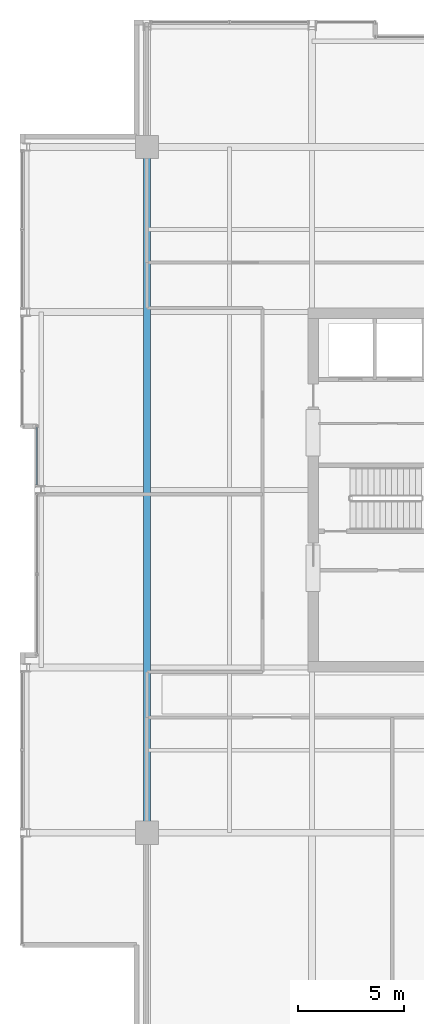
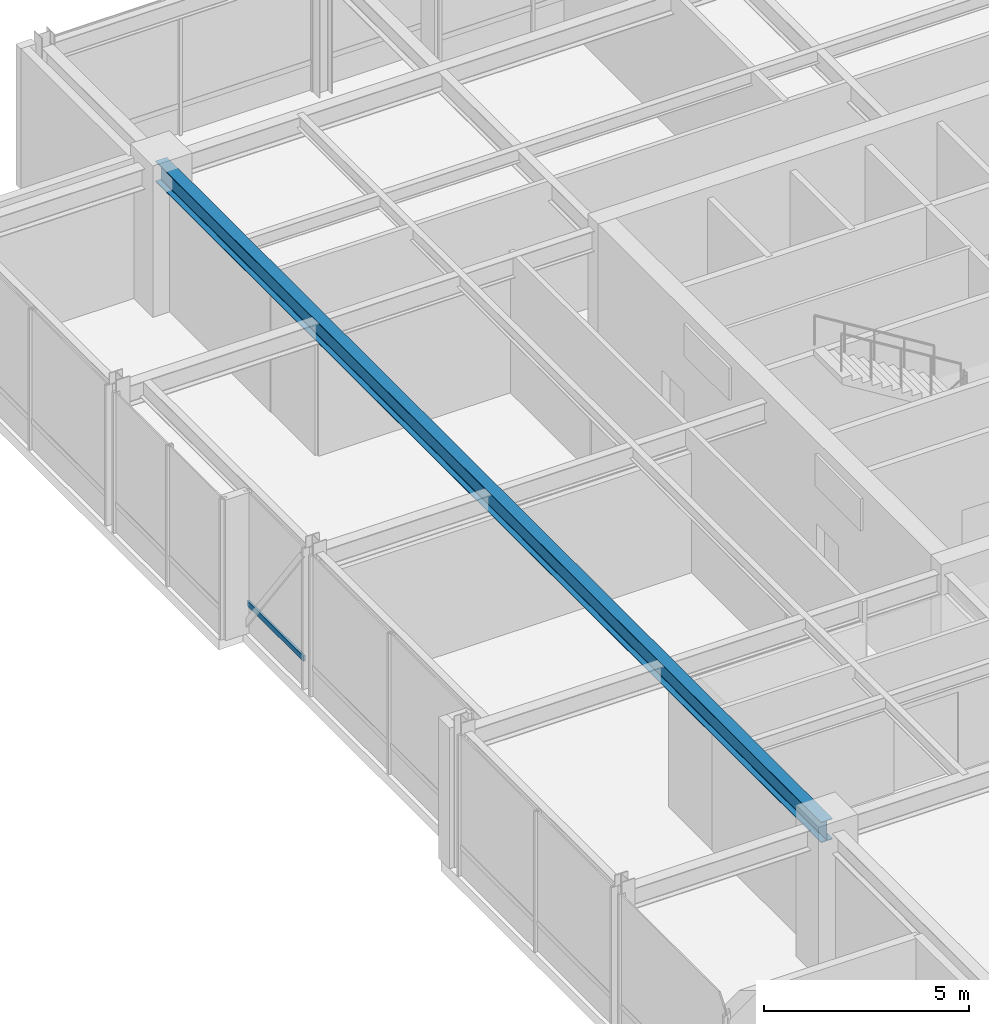
# One storey, part 10 of 32: 1 beam, 1 member, 1 element without a shape of its own.
"""IFC4 building model written with IfcOpenShell, lengths in metres."""

from ifc_helpers import new_model, si_unit, direction, frame, origin, origin_2d, place, context, subcontext, project, spatial, hollow_rectangle, i_section, extrude, material, layer, layer_set, material_profile, profile_set, type_object, element, aggregate, save


model = new_model("IFC4")

# Units and contexts
model_context = context("Model", 3, precision=1e-05, world=origin(), true_north=direction((0.0, 1.0)))
body_context = subcontext(model_context, "Body", "Model", "MODEL_VIEW")
ifc_project = project(units=[si_unit("LENGTHUNIT", "METRE"), si_unit("AREAUNIT", "SQUARE_METRE"), si_unit("VOLUMEUNIT", "CUBIC_METRE"), si_unit("PLANEANGLEUNIT", "RADIAN"), si_unit("MASSUNIT", "GRAM", prefix="KILO")], contexts=[model_context])

# Site, building, storey
site_placement = place(None, origin())
site = spatial("IfcSite", under=ifc_project, at=site_placement, CompositionType="ELEMENT")
building_placement = place(site_placement, origin())
building = spatial("IfcBuilding", under=site, at=building_placement, Name="Drelvath Grand Hotel", CompositionType="ELEMENT")
storey_placement = place(building_placement, frame((0.0, 0.0, 255.5)))
storey = spatial("IfcBuildingStorey", under=building, at=storey_placement, Name="L67", CompositionType="ELEMENT", Elevation=255.5)

# Curtain wall, member
ifc_material_1 = material(Name="Platinum-Mist Anodised Aluminium Frame", Category="aluminium")
ifc_layer = layer(ifc_material_1, 0.199951171875)
ifc_layer_set = layer_set([ifc_layer], Name="Platinum-Mist Anodised Aluminium Frame")
curtain_wall_type = type_object("IfcCurtainWallType", Name="Stick Curtain Wall CW-05 Platinum Mist High-Rise", PredefinedType="NOTDEFINED", material=ifc_layer_set)
curtain_wall_placement = place(storey_placement, origin())
curtain_wall = element("IfcCurtainWall", 1, at=curtain_wall_placement, inside=storey, type_object=curtain_wall_type, Name="L67 CW-05 Curtain Wall CW05-L67-WM2", PredefinedType="NOTDEFINED")
ifc_material_profile_1 = material_profile(ifc_material_1, hollow_rectangle(XDim=0.06494140625, YDim=0.159912109375, WallThickness=0.00390625, at=origin_2d()), Name="HSS160X65X4")
ifc_profile_set_1 = profile_set([ifc_material_profile_1], Name="Platinum-Mist Anodised Aluminium Frame")
member_type = type_object("IfcMemberType", Name="Curtain Wall Horizontal Transom CW-05 HSS160X65X4", PredefinedType="USERDEFINED", material=ifc_profile_set_1)
member_placement = place(storey_placement, frame((-21.39990234375, 27.21826171875, 0.85009765625), z_axis=(0.0, 1.0, 0.0), x_axis=(-1.0, 0.0, 0.0)))
member = element("IfcMember", 2, at=member_placement, type_object=member_type, Name="CW05-L67-WM2 Sill Transom", ObjectType="TRANSOM", PredefinedType="USERDEFINED", context=body_context, shape_type="SweptSolid", body=[
    extrude(hollow_rectangle(XDim=0.06494140625, YDim=0.159912109375, WallThickness=0.00390625, at=origin_2d()), origin(), (0.0, 0.0, 1.0), 2.74169921875),
])
aggregate(curtain_wall, [member])

# Beam
ifc_material_2 = material(Name="Steel ASTM A992 Gr 50", Category="steel")
ifc_material_profile_2 = material_profile(ifc_material_2, i_section(OverallWidth=0.323974609375, OverallDepth=0.611083984375, WebThickness=0.0126953125, FlangeThickness=0.01904296875, FilletRadius=0.02197265625, at=origin_2d()), Name="W24X104")
ifc_profile_set_2 = profile_set([ifc_material_profile_2], Name="Steel ASTM A992 Gr 50")
beam_type = type_object("IfcBeamType", Name="Primary Floor Girder W24X104", PredefinedType="BEAM", material=ifc_profile_set_2)
beam_placement = place(storey_placement, frame((-16.199951171875, 10.800048828125, 3.87451171875), z_axis=(0.0, 1.0, 0.0), x_axis=(-1.0, 0.0, 0.0)))
element("IfcBeam", 3, at=beam_placement, inside=storey, type_object=beam_type, Name="L67 Mega Ring Girder West", PredefinedType="BEAM", context=body_context, shape_type="SweptSolid", body=[
    extrude(i_section(OverallWidth=0.323974609375, OverallDepth=0.611083984375, WebThickness=0.0126953125, FlangeThickness=0.01904296875, FilletRadius=0.02197265625, at=origin_2d()), origin(), (0.0, 0.0, 1.0), 32.39990234375),
])

save(model, "model.ifc")
